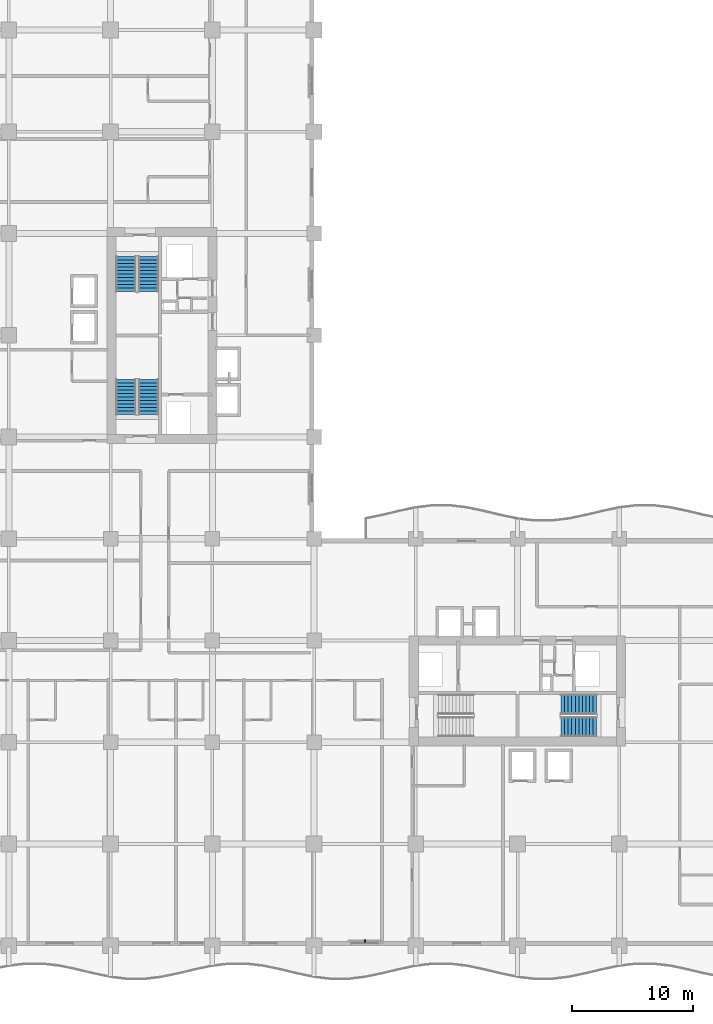
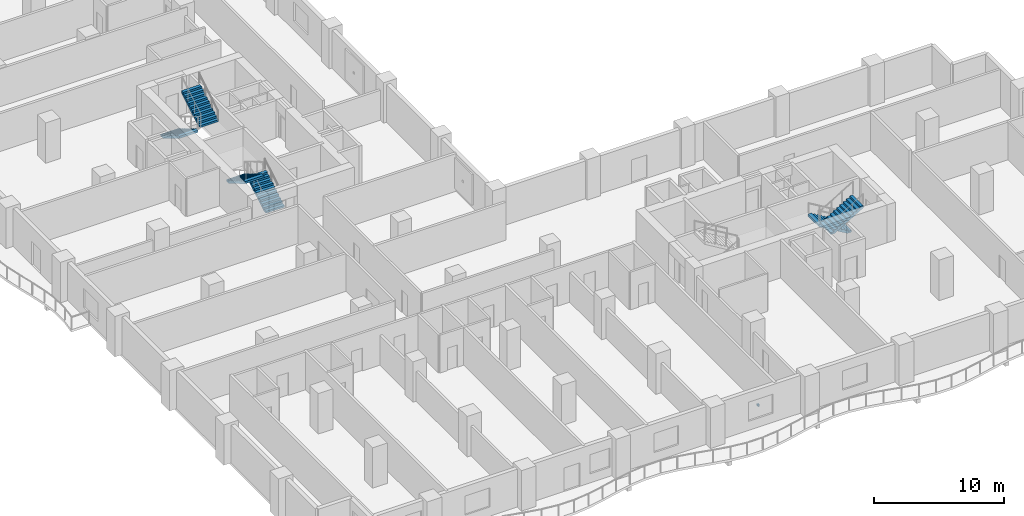
# One storey, part 12 of 17: 6 stair flights, 1 discrete accessory, 3 elements without a shape of their own.
"""IFC4 building model written with IfcOpenShell, lengths in metres."""

from ifc_helpers import new_model, si_unit, direction, frame, origin, origin_2d, place, context, subcontext, project, spatial, polyline, rectangle, outline, extrude, material, type_object, element, aggregate, save


model = new_model("IFC4")

# Units and contexts
model_context = context("Model", 3, precision=1e-05, world=origin(), true_north=direction((0.0, 1.0)))
body_context = subcontext(model_context, "Body", "Model", "MODEL_VIEW")
ifc_project = project(units=[si_unit("LENGTHUNIT", "METRE"), si_unit("AREAUNIT", "SQUARE_METRE"), si_unit("VOLUMEUNIT", "CUBIC_METRE"), si_unit("PLANEANGLEUNIT", "RADIAN"), si_unit("MASSUNIT", "GRAM", prefix="KILO")], contexts=[model_context])

# Site, building, storey
site_placement = place(None, origin())
site = spatial("IfcSite", under=ifc_project, at=site_placement, CompositionType="ELEMENT")
building_placement = place(site_placement, origin())
building = spatial("IfcBuilding", under=site, at=building_placement, Name="Koriwani Terraces Tower", CompositionType="ELEMENT")
storey_placement = place(building_placement, frame((0.0, 0.0, 122.800048828125)))
storey = spatial("IfcBuildingStorey", under=building, at=storey_placement, Name="L29", CompositionType="ELEMENT", Elevation=122.800048828125)

# Stair, stair flights
ifc_material_1 = material(Name="Concrete C40/50", Category="concrete")
stair_type = type_object("IfcStairType", Name="STAIR_CORE_DOGLEG_1650", PredefinedType="TWO_STRAIGHT_RUN_STAIR", material=ifc_material_1)
stair_1_placement = place(storey_placement, origin())
stair_1 = element("IfcStair", 1, at=stair_1_placement, inside=storey, type_object=stair_type, Name="L29 West Core Exit Stair 1", PredefinedType="HALF_TURN_STAIR")
stair_flight_type = type_object("IfcStairFlightType", Name="STAIR_FLIGHT_RC_1650", PredefinedType="STRAIGHT", material=ifc_material_1)
stair_flight_1_placement = place(storey_placement, frame((19.925048828125, 43.85009765625, 0.0), z_axis=(0.0, 0.0, 1.0), x_axis=(0.0, 1.0, 0.0)))
stair_flight_1 = element("IfcStairFlight", 2, at=stair_flight_1_placement, type_object=stair_flight_type, Name="ST-W1 flight 1", NumberOfRisers=11, NumberOfTreads=10, PredefinedType="STRAIGHT", RiserHeight=0.172727273, TreadLength=0.29, context=body_context, shape_type="SweptSolid", body=[
    extrude(outline(polyline([(0.0, 0.0), (0.0, 0.172607421875), (0.2900390625, 0.172607421875), (0.2900390625, 0.345458984375), (0.580078125, 0.345458984375), (0.580078125, 0.51806640625), (0.8701171875, 0.51806640625), (0.8701171875, 0.69091796875), (1.159912109375, 0.69091796875), (1.159912109375, 0.863525390625), (1.449951171875, 0.863525390625), (1.449951171875, 1.036376953125), (1.739990234375, 1.036376953125), (1.739990234375, 1.208984375), (2.030029296875, 1.208984375), (2.030029296875, 1.3818359375), (2.320068359375, 1.3818359375), (2.320068359375, 1.554443359375), (2.610107421875, 1.554443359375), (2.610107421875, 1.727294921875), (2.89990234375, 1.727294921875), (2.89990234375, 1.89990234375), (2.89990234375, 1.517822265625), (0.3515625, 0.0), (0.0, 0.0)])), frame((0.0, 0.824951171875, 0.0), z_axis=(0.0, -1.0, 0.0), x_axis=(1.0, 0.0, 0.0)), (0.0, 0.0, 1.0), 1.64990234375),
])
stair_flight_2_placement = place(storey_placement, frame((18.074951171875, 46.75, 1.89990234375), z_axis=(0.0, 0.0, 1.0), x_axis=(0.0, -1.0, 0.0)))
stair_flight_2 = element("IfcStairFlight", 3, at=stair_flight_2_placement, type_object=stair_flight_type, Name="ST-W1 flight 2", NumberOfRisers=11, NumberOfTreads=10, PredefinedType="STRAIGHT", RiserHeight=0.172727273, TreadLength=0.29, context=body_context, shape_type="SweptSolid", body=[
    extrude(outline(polyline([(0.0, 0.0), (0.0, 0.172607421875), (0.2900390625, 0.172607421875), (0.2900390625, 0.345458984375), (0.580078125, 0.345458984375), (0.580078125, 0.51806640625), (0.8701171875, 0.51806640625), (0.8701171875, 0.69091796875), (1.159912109375, 0.69091796875), (1.159912109375, 0.863525390625), (1.449951171875, 0.863525390625), (1.449951171875, 1.036376953125), (1.739990234375, 1.036376953125), (1.739990234375, 1.208984375), (2.030029296875, 1.208984375), (2.030029296875, 1.3818359375), (2.320068359375, 1.3818359375), (2.320068359375, 1.554443359375), (2.610107421875, 1.554443359375), (2.610107421875, 1.727294921875), (2.89990234375, 1.727294921875), (2.89990234375, 1.89990234375), (2.89990234375, 1.517822265625), (0.3515625, 0.0), (0.0, 0.0)])), frame((0.0, 0.824951171875, 0.0), z_axis=(0.0, -1.0, 0.0), x_axis=(1.0, 0.0, 0.0)), (0.0, 0.0, 1.0), 1.64990234375),
])
aggregate(stair_1, [stair_flight_1, stair_flight_2])

stair_2_placement = place(storey_placement, origin())
stair_2 = element("IfcStair", 4, at=stair_2_placement, inside=storey, type_object=stair_type, Name="L29 West Core Exit Stair 2", PredefinedType="HALF_TURN_STAIR")
stair_flight_3_placement = place(storey_placement, frame((18.074951171875, 56.89990234375, 0.0), z_axis=(0.0, 0.0, 1.0), x_axis=(0.0, -1.0, 0.0)))
stair_flight_3 = element("IfcStairFlight", 5, at=stair_flight_3_placement, type_object=stair_flight_type, Name="ST-W2 flight 1", NumberOfRisers=11, NumberOfTreads=10, PredefinedType="STRAIGHT", RiserHeight=0.172727273, TreadLength=0.29, context=body_context, shape_type="SweptSolid", body=[
    extrude(outline(polyline([(0.0, 0.0), (0.0, 0.172607421875), (0.2900390625, 0.172607421875), (0.2900390625, 0.345458984375), (0.580078125, 0.345458984375), (0.580078125, 0.51806640625), (0.8701171875, 0.51806640625), (0.8701171875, 0.69091796875), (1.159912109375, 0.69091796875), (1.159912109375, 0.863525390625), (1.449951171875, 0.863525390625), (1.449951171875, 1.036376953125), (1.739990234375, 1.036376953125), (1.739990234375, 1.208984375), (2.030029296875, 1.208984375), (2.030029296875, 1.3818359375), (2.320068359375, 1.3818359375), (2.320068359375, 1.554443359375), (2.610107421875, 1.554443359375), (2.610107421875, 1.727294921875), (2.89990234375, 1.727294921875), (2.89990234375, 1.89990234375), (2.89990234375, 1.517822265625), (0.3515625, 0.0), (0.0, 0.0)])), frame((0.0, 0.824951171875, 0.0), z_axis=(0.0, -1.0, 0.0), x_axis=(1.0, 0.0, 0.0)), (0.0, 0.0, 1.0), 1.64990234375),
])
stair_flight_4_placement = place(storey_placement, frame((19.925048828125, 54.0, 1.89990234375), z_axis=(0.0, 0.0, 1.0), x_axis=(0.0, 1.0, 0.0)))
stair_flight_4 = element("IfcStairFlight", 6, at=stair_flight_4_placement, type_object=stair_flight_type, Name="ST-W2 flight 2", NumberOfRisers=11, NumberOfTreads=10, PredefinedType="STRAIGHT", RiserHeight=0.172727273, TreadLength=0.29, context=body_context, shape_type="SweptSolid", body=[
    extrude(outline(polyline([(0.0, 0.0), (0.0, 0.172607421875), (0.2900390625, 0.172607421875), (0.2900390625, 0.345458984375), (0.580078125, 0.345458984375), (0.580078125, 0.51806640625), (0.8701171875, 0.51806640625), (0.8701171875, 0.69091796875), (1.159912109375, 0.69091796875), (1.159912109375, 0.863525390625), (1.449951171875, 0.863525390625), (1.449951171875, 1.036376953125), (1.739990234375, 1.036376953125), (1.739990234375, 1.208984375), (2.030029296875, 1.208984375), (2.030029296875, 1.3818359375), (2.320068359375, 1.3818359375), (2.320068359375, 1.554443359375), (2.610107421875, 1.554443359375), (2.610107421875, 1.727294921875), (2.89990234375, 1.727294921875), (2.89990234375, 1.89990234375), (2.89990234375, 1.517822265625), (0.3515625, 0.0), (0.0, 0.0)])), frame((0.0, 0.824951171875, 0.0), z_axis=(0.0, -1.0, 0.0), x_axis=(1.0, 0.0, 0.0)), (0.0, 0.0, 1.0), 1.64990234375),
])
aggregate(stair_2, [stair_flight_3, stair_flight_4])

stair_3_placement = place(storey_placement, origin())
stair_3 = element("IfcStair", 7, at=stair_3_placement, inside=storey, type_object=stair_type, Name="L29 East Core Exit Stair 2", PredefinedType="HALF_TURN_STAIR")
stair_flight_5_placement = place(storey_placement, frame((56.89990234375, 19.925048828125, 0.0), z_axis=(0.0, 0.0, 1.0), x_axis=(-1.0, 0.0, 0.0)))
stair_flight_5 = element("IfcStairFlight", 8, at=stair_flight_5_placement, type_object=stair_flight_type, Name="ST-E2 flight 1", NumberOfRisers=11, NumberOfTreads=10, PredefinedType="STRAIGHT", RiserHeight=0.172727273, TreadLength=0.29, context=body_context, shape_type="SweptSolid", body=[
    extrude(outline(polyline([(0.0, 0.0), (0.0, 0.172607421875), (0.2900390625, 0.172607421875), (0.2900390625, 0.345458984375), (0.580078125, 0.345458984375), (0.580078125, 0.51806640625), (0.8701171875, 0.51806640625), (0.8701171875, 0.69091796875), (1.159912109375, 0.69091796875), (1.159912109375, 0.863525390625), (1.449951171875, 0.863525390625), (1.449951171875, 1.036376953125), (1.739990234375, 1.036376953125), (1.739990234375, 1.208984375), (2.030029296875, 1.208984375), (2.030029296875, 1.3818359375), (2.320068359375, 1.3818359375), (2.320068359375, 1.554443359375), (2.610107421875, 1.554443359375), (2.610107421875, 1.727294921875), (2.89990234375, 1.727294921875), (2.89990234375, 1.89990234375), (2.89990234375, 1.517822265625), (0.3515625, 0.0), (0.0, 0.0)])), frame((0.0, 0.824951171875, 0.0), z_axis=(0.0, -1.0, 0.0), x_axis=(1.0, 0.0, 0.0)), (0.0, 0.0, 1.0), 1.64990234375),
])
stair_flight_6_placement = place(storey_placement, frame((54.0, 18.074951171875, 1.89990234375), z_axis=(0.0, 0.0, 1.0), x_axis=(1.0, 0.0, 0.0)))
stair_flight_6 = element("IfcStairFlight", 9, at=stair_flight_6_placement, type_object=stair_flight_type, Name="ST-E2 flight 2", NumberOfRisers=11, NumberOfTreads=10, PredefinedType="STRAIGHT", RiserHeight=0.172727273, TreadLength=0.29, context=body_context, shape_type="SweptSolid", body=[
    extrude(outline(polyline([(0.0, 0.0), (0.0, 0.172607421875), (0.2900390625, 0.172607421875), (0.2900390625, 0.345458984375), (0.580078125, 0.345458984375), (0.580078125, 0.51806640625), (0.8701171875, 0.51806640625), (0.8701171875, 0.69091796875), (1.159912109375, 0.69091796875), (1.159912109375, 0.863525390625), (1.449951171875, 0.863525390625), (1.449951171875, 1.036376953125), (1.739990234375, 1.036376953125), (1.739990234375, 1.208984375), (2.030029296875, 1.208984375), (2.030029296875, 1.3818359375), (2.320068359375, 1.3818359375), (2.320068359375, 1.554443359375), (2.610107421875, 1.554443359375), (2.610107421875, 1.727294921875), (2.89990234375, 1.727294921875), (2.89990234375, 1.89990234375), (2.89990234375, 1.517822265625), (0.3515625, 0.0), (0.0, 0.0)])), frame((0.0, 0.824951171875, 0.0), z_axis=(0.0, -1.0, 0.0), x_axis=(1.0, 0.0, 0.0)), (0.0, 0.0, 1.0), 1.64990234375),
])
aggregate(stair_3, [stair_flight_5, stair_flight_6])

# Discrete accessory
ifc_material_2 = material(Name="Steel ASTM A572 Grade 50", Category="steel")
discrete_accessory_type = type_object("IfcDiscreteAccessoryType", Name="BAGUETTE_STANDOFF_BRACKET", PredefinedType="BRACKET", material=ifc_material_2)
discrete_accessory_placement = place(storey_placement, frame((37.800048828125, 0.389892578125, 1.68505859375), z_axis=(0.0, 0.0, 1.0), x_axis=(-1.0, 0.0, 0.0)))
element("IfcDiscreteAccessory", 10, at=discrete_accessory_placement, inside=storey, type_object=discrete_accessory_type, Name="L29 Terracotta Baguette Bracket (S-12)", PredefinedType="BRACKET", context=body_context, shape_type="SweptSolid", body=[
    extrude(rectangle(XDim=0.159912109375, YDim=0.199951171875, at=origin_2d()), origin(), (0.0, 0.0, 1.0), 0.179931640625),
])

save(model, "model.ifc")
